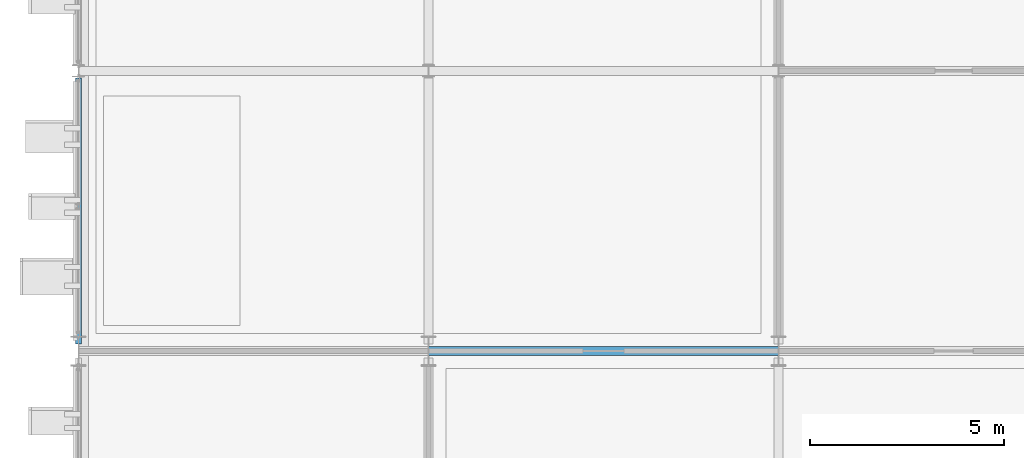
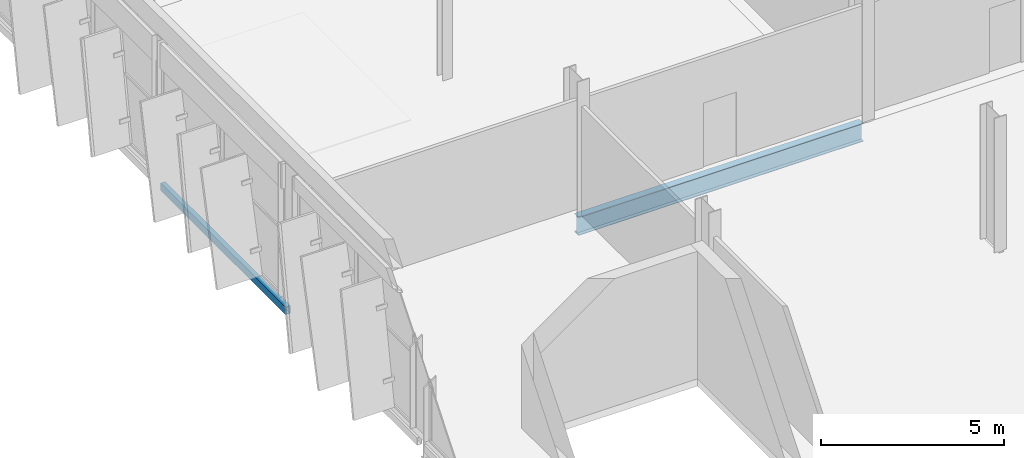
# One storey, part 10 of 52: 2 beams.
"""IFC4 building model written with IfcOpenShell, lengths in metres."""

from ifc_helpers import new_model, si_unit, direction, frame, origin, origin_2d, place, context, subcontext, project, spatial, hollow_rectangle, i_section, extrude, material, material_profile, profile_set, type_object, element, save


model = new_model("IFC4")

# Units and contexts
model_context = context("Model", 3, precision=1e-05, world=origin(), true_north=direction((0.0, 1.0)))
body_context = subcontext(model_context, "Body", "Model", "MODEL_VIEW")
ifc_project = project(units=[si_unit("LENGTHUNIT", "METRE"), si_unit("AREAUNIT", "SQUARE_METRE"), si_unit("VOLUMEUNIT", "CUBIC_METRE"), si_unit("PLANEANGLEUNIT", "RADIAN"), si_unit("MASSUNIT", "GRAM", prefix="KILO")], contexts=[model_context])

# Site, building, storey
site_placement = place(None, origin())
site = spatial("IfcSite", under=ifc_project, at=site_placement, CompositionType="ELEMENT")
building_placement = place(site_placement, origin())
building = spatial("IfcBuilding", under=site, at=building_placement, Name="Celestram Park Convention Centre", CompositionType="ELEMENT")
storey_placement = place(building_placement, frame((0.0, 0.0, 24.300048828125)))
storey = spatial("IfcBuildingStorey", under=building, at=storey_placement, Name="L05", CompositionType="ELEMENT", Elevation=24.300048828125)

# Beams
ifc_material_1 = material(Name="Steel ASTM A992 Grade 50", Category="steel")
ifc_material_profile_1 = material_profile(ifc_material_1, i_section(OverallWidth=0.22900390625, OverallDepth=0.612060546875, WebThickness=0.011962890625, FlangeThickness=0.01953125, at=origin_2d()), Name="W24X84")
ifc_profile_set_1 = profile_set([ifc_material_profile_1], Name="Steel ASTM A992 Grade 50")
beam_type_1 = type_object("IfcBeamType", Name="STR-BM-W24X84", PredefinedType="BEAM", material=ifc_profile_set_1)
beam_1_placement = place(storey_placement, frame((45.006103515625, 129.60009765625, -0.546142578125), z_axis=(1.0, 0.0, 0.0), x_axis=(0.0, 1.0, 0.0)))
element("IfcBeam", 1, at=beam_1_placement, inside=storey, type_object=beam_type_1, Name="Primary X-girder BG-L05-0020", PredefinedType="BEAM", context=body_context, shape_type="SweptSolid", body=[
    extrude(i_section(OverallWidth=0.22900390625, OverallDepth=0.612060546875, WebThickness=0.011962890625, FlangeThickness=0.01953125, at=origin_2d()), origin(), (0.0, 0.0, 1.0), 8.98779296875),
])
ifc_material_2 = material(Name="Steel ASTM A500 Grade C", Category="steel")
ifc_material_profile_2 = material_profile(ifc_material_2, hollow_rectangle(XDim=0.14990234375, YDim=0.25, WallThickness=0.010009765625, at=origin_2d()), Name="HSS250X150X10")
ifc_profile_set_2 = profile_set([ifc_material_profile_2], Name="Steel ASTM A500 Grade C")
beam_type_2 = type_object("IfcBeamType", Name="STR-SPN-HSS250X150", PredefinedType="SPANDREL", material=ifc_profile_set_2)
beam_2_placement = place(storey_placement, frame((36.0, 129.784423828125, -0.364990234375), z_axis=(0.0, 1.0, 0.0), x_axis=(-1.0, 0.0, 0.0)))
element("IfcBeam", 2, at=beam_2_placement, inside=storey, type_object=beam_type_2, Name="Primary Y-girder BG-L05-0007", PredefinedType="SPANDREL", context=body_context, shape_type="SweptSolid", body=[
    extrude(hollow_rectangle(XDim=0.14990234375, YDim=0.25, WallThickness=0.010009765625, at=origin_2d()), origin(), (0.0, 0.0, 1.0), 6.8310546875),
])

save(model, "model.ifc")
